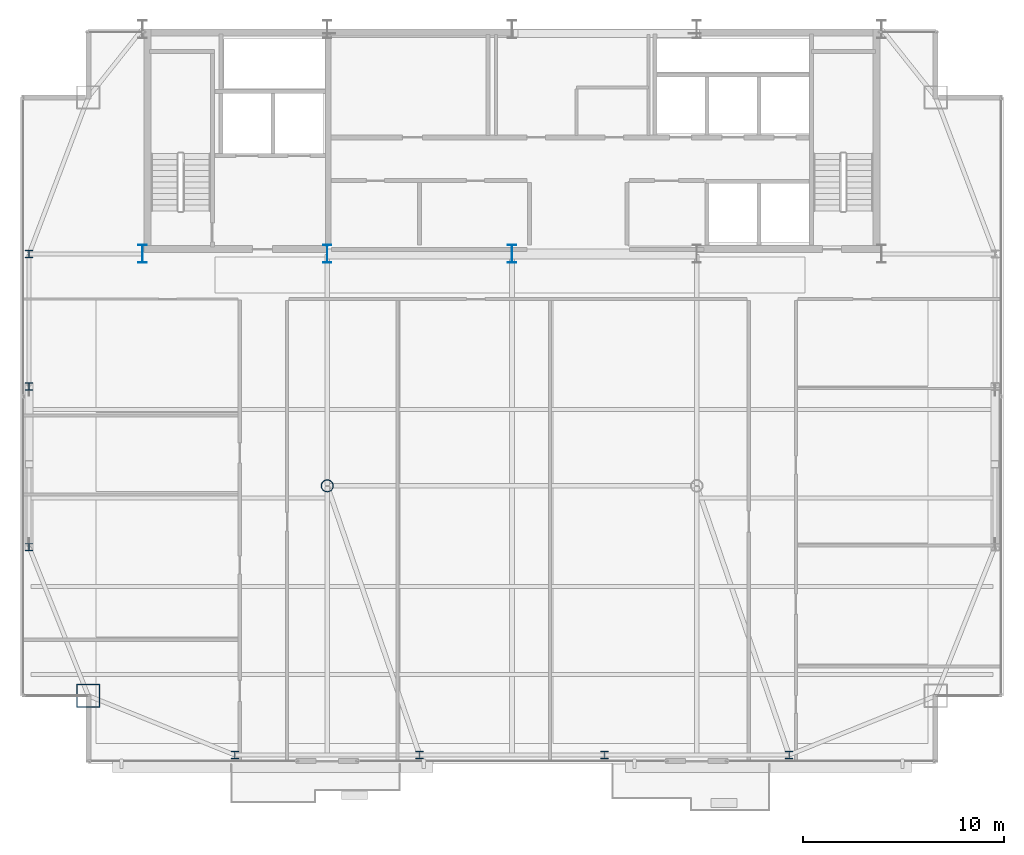
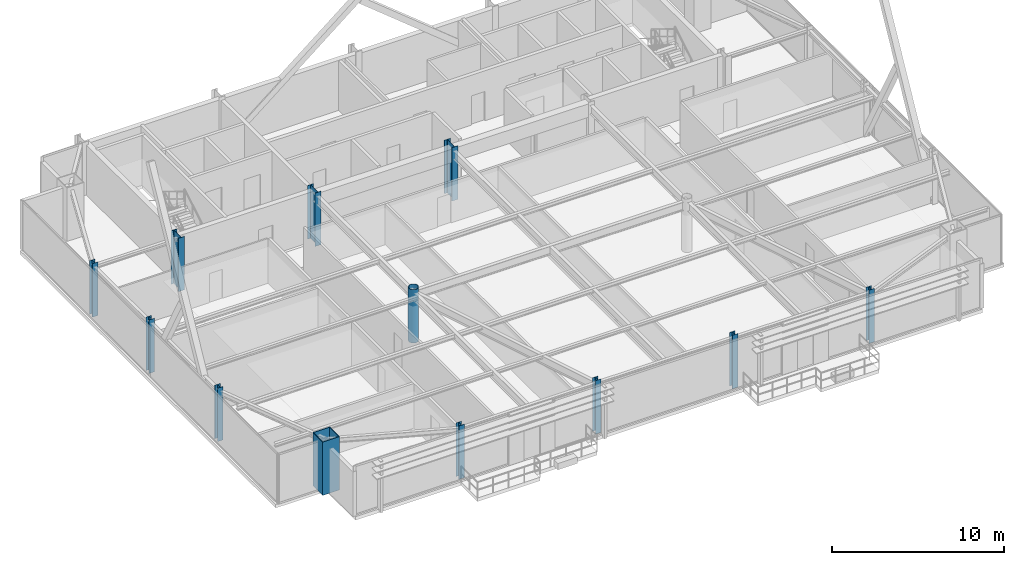
# One storey, part 1 of 31: 12 columns.
"""IFC4 building model written with IfcOpenShell, lengths in metres."""

from ifc_helpers import new_model, si_unit, direction, frame, origin, origin_2d, place, context, subcontext, project, spatial, hollow_rectangle, hollow_circle, i_section, extrude, source, transform, mapped, material, material_profile, profile_set, type_object, type_shapes, element, save


model = new_model("IFC4")

# Units and contexts
model_context = context("Model", 3, precision=1e-05, world=origin(), true_north=direction((0.0, 1.0)))
body_context = subcontext(model_context, "Body", "Model", "MODEL_VIEW")
ifc_project = project(units=[si_unit("LENGTHUNIT", "METRE"), si_unit("AREAUNIT", "SQUARE_METRE"), si_unit("VOLUMEUNIT", "CUBIC_METRE"), si_unit("PLANEANGLEUNIT", "RADIAN"), si_unit("MASSUNIT", "GRAM", prefix="KILO")], contexts=[model_context])

# Site, building, storey
site_placement = place(None, origin())
site = spatial("IfcSite", under=ifc_project, at=site_placement, CompositionType="ELEMENT")
building_placement = place(site_placement, origin())
building = spatial("IfcBuilding", under=site, at=building_placement, Name="Varnel Quay Broadcast Tower", CompositionType="ELEMENT")
storey_placement = place(building_placement, frame((0.0, 0.0, 215.0)))
storey = spatial("IfcBuildingStorey", under=building, at=storey_placement, Name="L53", CompositionType="ELEMENT", Elevation=215.0)

# Columns
ifc_material_1 = material(Name="Structural Steel CSA G40.21 350WT", Category="steel")
ifc_material_profile_1 = material_profile(ifc_material_1, i_section(OverallWidth=0.39990234375, OverallDepth=0.89990234375, WebThickness=0.01611328125, FlangeThickness=0.028076171875, FilletRadius=0.01611328125, at=origin_2d()), Name="WWF900X309")
ifc_profile_set_1 = profile_set([ifc_material_profile_1], Name="Structural Steel CSA G40.21 350WT")
column_type_1 = type_object("IfcColumnType", Name="Col_WWF900X309", PredefinedType="COLUMN", material=ifc_profile_set_1)
shared_shape_1 = source(origin(), body_context, "Body", "SweptSolid", [
    extrude(i_section(OverallWidth=0.39990234375, OverallDepth=0.89990234375, WebThickness=0.01611328125, FlangeThickness=0.028076171875, FilletRadius=0.01611328125, at=origin_2d()), origin(), (0.0, 0.0, 1.0), 3.800048828125),
])
type_shapes(column_type_1, [shared_shape_1])
for number, where, z_axis, x_axis, name in (
    (1, (15.60009765625, 35.60009765625, 0.0), (0.0, 0.0, 1.0), (1.0, 0.0, 0.0), "L53 Column CC-S1"),
    (2, (24.800048828125, 35.60009765625, 0.0), (0.0, 0.0, 1.0), (1.0, 0.0, 0.0), "L53 Column CC-S2"),
    (3, (34.0, 35.60009765625, 0.0), (0.0, 0.0, 1.0), (1.0, 0.0, 0.0), "L53 Column CC-S3"),
):
    element("IfcColumn", number, at=place(storey_placement, frame(where, z_axis=z_axis, x_axis=x_axis)), inside=storey, type_object=column_type_1, Name=name, PredefinedType="COLUMN", context=body_context, shape_type="MappedRepresentation", body=[
        mapped(shared_shape_1, transform((0.0, 0.0, 0.0), x_axis=(1.0, 0.0, 0.0), y_axis=(0.0, 1.0, 0.0), z_axis=(0.0, 0.0, 1.0), scale=1.0)),
    ])
ifc_material_profile_2 = material_profile(ifc_material_1, hollow_rectangle(XDim=1.14990234375, YDim=1.14990234375, WallThickness=0.044921875, at=origin_2d()), Name="BOX1150X1150X45")
ifc_profile_set_2 = profile_set([ifc_material_profile_2], Name="Structural Steel CSA G40.21 350WT")
column_type_2 = type_object("IfcColumnType", Name="Col_BOX1150X1150X45", PredefinedType="COLUMN", material=ifc_profile_set_2)
shared_shape_2 = source(origin(), body_context, "Body", "SweptSolid", [
    extrude(hollow_rectangle(XDim=1.14990234375, YDim=1.14990234375, WallThickness=0.044921875, at=origin_2d()), origin(), (0.0, 0.0, 1.0), 3.800048828125),
])
type_shapes(column_type_2, [shared_shape_2])
column_1_placement = place(storey_placement, frame((12.89990234375, 13.60009765625, 0.0), z_axis=(0.0, 0.0, 1.0), x_axis=(1.0, 0.0, 0.0)))
element("IfcColumn", 4, at=column_1_placement, inside=storey, type_object=column_type_2, Name="L53 Column MC-SW", PredefinedType="COLUMN", context=body_context, shape_type="MappedRepresentation", body=[
    mapped(shared_shape_2, transform((0.0, 0.0, 0.0), x_axis=(1.0, 0.0, 0.0), y_axis=(0.0, 1.0, 0.0), z_axis=(0.0, 0.0, 1.0), scale=1.0)),
])
ifc_material_2 = material(Name="Structural Steel CSA G40.21 350W", Category="steel")
ifc_material_profile_3 = material_profile(ifc_material_2, i_section(OverallWidth=0.368896484375, OverallDepth=0.35595703125, WebThickness=0.01123046875, FlangeThickness=0.01806640625, FilletRadius=0.01611328125, at=origin_2d()), Name="W360X134")
ifc_profile_set_3 = profile_set([ifc_material_profile_3], Name="Structural Steel CSA G40.21 350W")
column_type_3 = type_object("IfcColumnType", Name="Col_W360X134", PredefinedType="COLUMN", material=ifc_profile_set_3)
shared_shape_3 = source(origin(), body_context, "Body", "SweptSolid", [
    extrude(i_section(OverallWidth=0.368896484375, OverallDepth=0.35595703125, WebThickness=0.01123046875, FlangeThickness=0.01806640625, FilletRadius=0.01611328125, at=origin_2d()), origin(), (0.0, 0.0, 1.0), 3.800048828125),
])
type_shapes(column_type_3, [shared_shape_3])
for number, where, z_axis, x_axis, name in (
    (5, (20.199951171875, 10.64990234375, 0.0), (0.0, 0.0, 1.0), (1.0, 0.0, 0.0), "L53 Column TC-S1"),
    (6, (29.39990234375, 10.64990234375, 0.0), (0.0, 0.0, 1.0), (1.0, 0.0, 0.0), "L53 Column TC-S2"),
    (7, (38.60009765625, 10.64990234375, 0.0), (0.0, 0.0, 1.0), (1.0, 0.0, 0.0), "L53 Column TC-S3"),
    (8, (47.800048828125, 10.64990234375, 0.0), (0.0, 0.0, 1.0), (1.0, 0.0, 0.0), "L53 Column TC-S4"),
    (9, (9.949951171875, 21.0, 0.0), (0.0, 0.0, 1.0), (1.0, 0.0, 0.0), "L53 Column TC-W1"),
    (10, (9.949951171875, 29.0, 0.0), (0.0, 0.0, 1.0), (1.0, 0.0, 0.0), "L53 Column TC-W2"),
    (11, (9.949951171875, 35.60009765625, 0.0), (0.0, 0.0, 1.0), (1.0, 0.0, 0.0), "L53 Column TC-W3"),
):
    element("IfcColumn", number, at=place(storey_placement, frame(where, z_axis=z_axis, x_axis=x_axis)), inside=storey, type_object=column_type_3, Name=name, PredefinedType="COLUMN", context=body_context, shape_type="MappedRepresentation", body=[
        mapped(shared_shape_3, transform((0.0, 0.0, 0.0), x_axis=(1.0, 0.0, 0.0), y_axis=(0.0, 1.0, 0.0), z_axis=(0.0, 0.0, 1.0), scale=1.0)),
    ])
ifc_material_profile_4 = material_profile(ifc_material_2, hollow_circle(Radius=0.304931640625, WallThickness=0.02490234375, at=origin_2d()), Name="CHS610X25")
ifc_profile_set_4 = profile_set([ifc_material_profile_4], Name="Structural Steel CSA G40.21 350W")
column_type_4 = type_object("IfcColumnType", Name="Col_CHS610X25", PredefinedType="COLUMN", material=ifc_profile_set_4)
shared_shape_4 = source(origin(), body_context, "Body", "SweptSolid", [
    extrude(hollow_circle(Radius=0.304931640625, WallThickness=0.02490234375, at=origin_2d()), origin(), (0.0, 0.0, 1.0), 3.800048828125),
])
type_shapes(column_type_4, [shared_shape_4])
column_2_placement = place(storey_placement, frame((24.800048828125, 24.050048828125, 0.0), z_axis=(0.0, 0.0, 1.0), x_axis=(1.0, 0.0, 0.0)))
element("IfcColumn", 12, at=column_2_placement, inside=storey, type_object=column_type_4, Name="L53 Column IC-01", PredefinedType="COLUMN", context=body_context, shape_type="MappedRepresentation", body=[
    mapped(shared_shape_4, transform((0.0, 0.0, 0.0), x_axis=(1.0, 0.0, 0.0), y_axis=(0.0, 1.0, 0.0), z_axis=(0.0, 0.0, 1.0), scale=1.0)),
])

save(model, "model.ifc")
